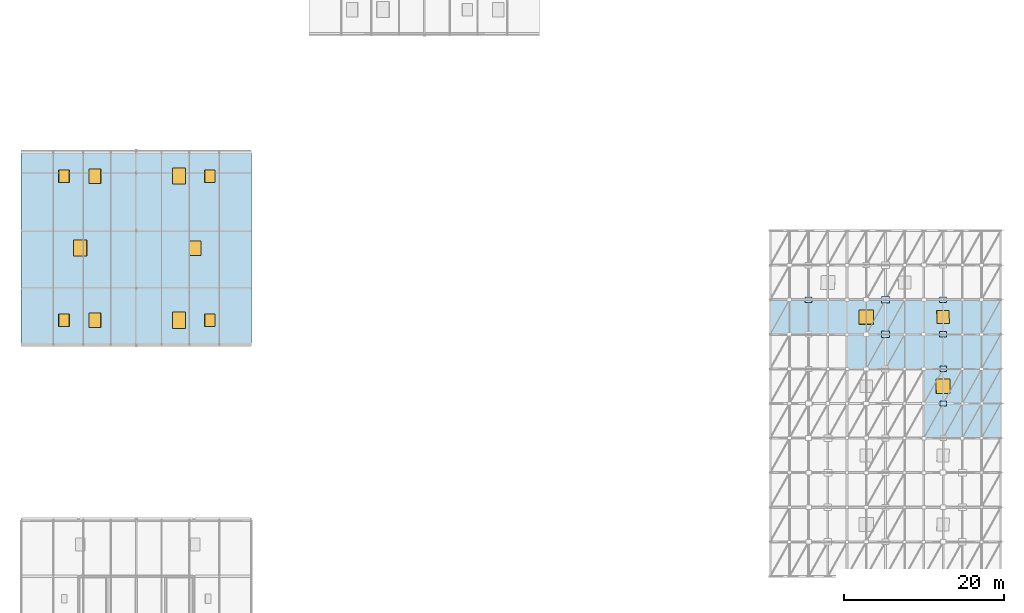
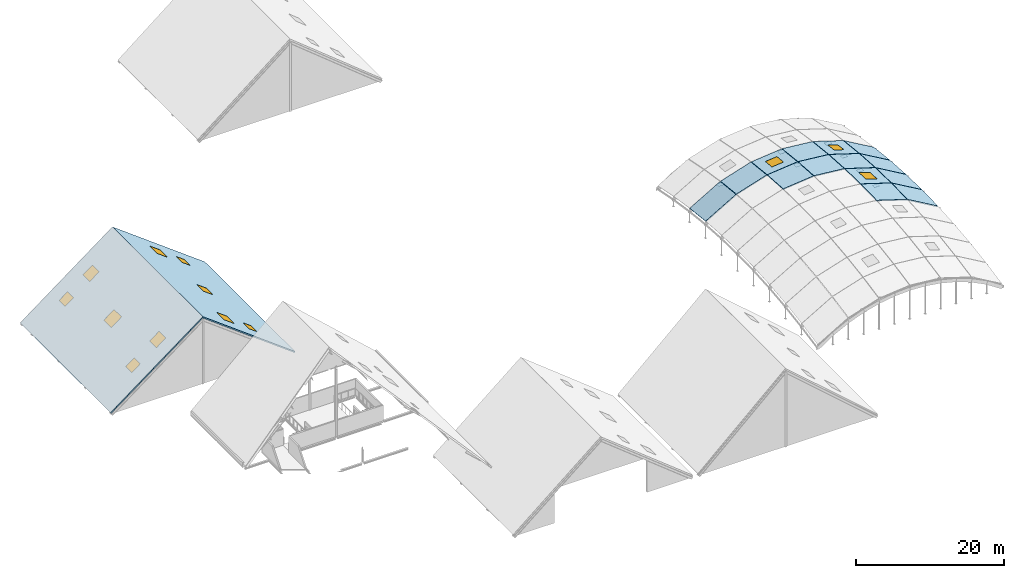
# One storey, part 23 of 35: 16 slabs, 13 windows, 7 plates, 13 openings.
"""IFC4 building model written with IfcOpenShell, lengths in metres."""

from ifc_helpers import new_model, si_unit, direction, frame, origin, origin_2d, place, context, subcontext, project, spatial, polyline, rectangle, outline, extrude, material, layer, layer_set, type_object, element, fill, save


model = new_model("IFC4")

# Units and contexts
model_context = context("Model", 3, precision=1e-05, world=origin(), true_north=direction((0.0, 1.0)))
body_context = subcontext(model_context, "Body", "Model", "MODEL_VIEW")
ifc_project = project(units=[si_unit("LENGTHUNIT", "METRE"), si_unit("AREAUNIT", "SQUARE_METRE"), si_unit("VOLUMEUNIT", "CUBIC_METRE"), si_unit("PLANEANGLEUNIT", "RADIAN"), si_unit("MASSUNIT", "GRAM", prefix="KILO")], contexts=[model_context])

# Site, building, storey
site_placement = place(None, origin())
site = spatial("IfcSite", under=ifc_project, at=site_placement, CompositionType="ELEMENT")
building_placement = place(site_placement, origin())
building = spatial("IfcBuilding", under=site, at=building_placement, Name="Zarrinpeak Specialist Clinic", CompositionType="ELEMENT")
storey_placement = place(building_placement, frame((0.0, 0.0, 31.60009765625)))
storey = spatial("IfcBuildingStorey", under=building, at=storey_placement, Name="RF", CompositionType="ELEMENT", Elevation=31.60009765625)

# Plates
ifc_material_1 = material(Name="Steel S355", Category="steel")
ifc_layer_1 = layer(ifc_material_1, 0.014892578125)
ifc_layer_set_1 = layer_set([ifc_layer_1], Name="Steel S355")
plate_type_1 = type_object("IfcPlateType", Name="PL-ND25", PredefinedType="SHEET", material=ifc_layer_set_1)
plate_1_placement = place(storey_placement, frame((115.199951171875, 50.39990234375, -11.51318359375), z_axis=(0.0, 0.0, 1.0), x_axis=(1.0, 0.0, 0.0)))
element("IfcPlate", 1, at=plate_1_placement, inside=storey, type_object=plate_type_1, Name="V3 Gridshell Hub Node Plate GSN-I09-J05", PredefinedType="SHEET", context=body_context, shape_type="SweptSolid", body=[
    extrude(rectangle(XDim=0.81494140625, YDim=0.6650390625, at=origin_2d()), origin(), (0.0, 0.0, 1.0), 0.014892578125),
])
ifc_layer_2 = layer(ifc_material_1, 0.01708984375)
ifc_layer_set_2 = layer_set([ifc_layer_2], Name="Steel S355")
plate_type_2 = type_object("IfcPlateType", Name="PL-ND26", PredefinedType="SHEET", material=ifc_layer_set_2)
plate_2_placement = place(storey_placement, frame((115.199951171875, 54.719970703125, -11.610107421875), z_axis=(0.0, 0.0, 1.0), x_axis=(1.0, 0.0, 0.0)))
element("IfcPlate", 2, at=plate_2_placement, inside=storey, type_object=plate_type_2, Name="V3 Gridshell Hub Node Plate GSN-I09-J06", PredefinedType="SHEET", context=body_context, shape_type="SweptSolid", body=[
    extrude(rectangle(XDim=0.8359375, YDim=0.681884765625, at=origin_2d()), origin(), (0.0, 0.0, 1.0), 0.01708984375),
])
ifc_layer_3 = layer(ifc_material_1, 0.01904296875)
ifc_layer_set_3 = layer_set([ifc_layer_3], Name="Steel S355")
plate_type_3 = type_object("IfcPlateType", Name="PL-ND27", PredefinedType="SHEET", material=ifc_layer_set_3)
for number, where, z_axis, x_axis, name in (
    (3, (98.39990234375, 63.360107421875, -13.277099609375), (0.0, 0.0, 1.0), (1.0, 0.0, 0.0), "V3 Gridshell Hub Node Plate GSN-I02-J08"),
    (4, (115.199951171875, 59.0400390625, -11.899169921875), (0.0, 0.0, 1.0), (1.0, 0.0, 0.0), "V3 Gridshell Hub Node Plate GSN-I09-J07"),
):
    element("IfcPlate", number, at=place(storey_placement, frame(where, z_axis=z_axis, x_axis=x_axis)), inside=storey, type_object=plate_type_3, Name=name, PredefinedType="SHEET", context=body_context, shape_type="SweptSolid", body=[
        extrude(rectangle(XDim=0.85693359375, YDim=0.698974609375, at=origin_2d()), origin(), (0.0, 0.0, 1.0), 0.01904296875),
    ])
ifc_layer_4 = layer(ifc_material_1, 0.02099609375)
ifc_layer_set_4 = layer_set([ifc_layer_4], Name="Steel S355")
plate_type_4 = type_object("IfcPlateType", Name="PL-ND28", PredefinedType="SHEET", material=ifc_layer_set_4)
plate_3_placement = place(storey_placement, frame((115.199951171875, 63.360107421875, -12.380126953125), z_axis=(0.0, 0.0, 1.0), x_axis=(1.0, 0.0, 0.0)))
element("IfcPlate", 5, at=plate_3_placement, inside=storey, type_object=plate_type_4, Name="V3 Gridshell Hub Node Plate GSN-I09-J08", PredefinedType="SHEET", context=body_context, shape_type="SweptSolid", body=[
    extrude(rectangle(XDim=0.8779296875, YDim=0.716064453125, at=origin_2d()), origin(), (0.0, 0.0, 1.0), 0.02099609375),
])
ifc_layer_5 = layer(ifc_material_1, 0.01904296875)
ifc_layer_set_5 = layer_set([ifc_layer_5], Name="Steel S355")
plate_type_5 = type_object("IfcPlateType", Name="PL-ND32", PredefinedType="SHEET", material=ifc_layer_set_5)
plate_4_placement = place(storey_placement, frame((108.0, 59.0400390625, -10.793701171875), z_axis=(0.0, 0.0, 1.0), x_axis=(1.0, 0.0, 0.0)))
element("IfcPlate", 6, at=plate_4_placement, inside=storey, type_object=plate_type_5, Name="V3 Gridshell Hub Node Plate GSN-I06-J07", PredefinedType="SHEET", context=body_context, shape_type="SweptSolid", body=[
    extrude(rectangle(XDim=0.9619140625, YDim=0.783935546875, at=origin_2d()), origin(), (0.0, 0.0, 1.0), 0.01904296875),
])
ifc_layer_6 = layer(ifc_material_1, 0.02099609375)
ifc_layer_set_6 = layer_set([ifc_layer_6], Name="Steel S355")
plate_type_6 = type_object("IfcPlateType", Name="PL-ND33", PredefinedType="SHEET", material=ifc_layer_set_6)
plate_5_placement = place(storey_placement, frame((108.0, 63.360107421875, -11.274658203125), z_axis=(0.0, 0.0, 1.0), x_axis=(1.0, 0.0, 0.0)))
element("IfcPlate", 7, at=plate_5_placement, inside=storey, type_object=plate_type_6, Name="V3 Gridshell Hub Node Plate GSN-I06-J08", PredefinedType="SHEET", context=body_context, shape_type="SweptSolid", body=[
    extrude(rectangle(XDim=0.98291015625, YDim=0.801025390625, at=origin_2d()), origin(), (0.0, 0.0, 1.0), 0.02099609375),
])

# Slabs
ifc_material_2 = material(Name="Precast concrete C40/50", Category="concrete")
ifc_layer_7 = layer(ifc_material_2, 0.1650390625)
ifc_layer_set_7 = layer_set([ifc_layer_7], Name="Precast concrete C40/50")
slab_type_1 = type_object("IfcSlabType", Name="SL-GS165", PredefinedType="ROOF", material=ifc_layer_set_7)
slab_1_placement = place(storey_placement, frame((98.431884765625, 59.052001953125, -12.2548828125), z_axis=(-0.299944753357, 0.105340966295, 0.948122579498), x_axis=(0.953427294255, 0.0, 0.301622934422)))
element("IfcSlab", 8, at=slab_1_placement, inside=storey, type_object=slab_type_1, Name="V3 Translational Gridshell Vault Roof Panel K01-J07", PredefinedType="ROOF", context=body_context, shape_type="SweptSolid", body=[
    extrude(outline(polyline([(0.0, 0.0), (4.9674306713386525, -2.7755575615628914e-17), (4.823467576418189, 4.319933848459201), (-0.14396309492046364, 4.319933848459201), (0.0, 0.0)])), origin(), (0.0, 0.0, -1.0), 0.1650390625),
])
slab_2_placement = place(storey_placement, frame((103.23193359375, 54.73193359375, -10.455078125), z_axis=(-0.100253333122, 0.066176395097, 0.992758759181), x_axis=(0.994939726955, 0.0, 0.100473577252)))
element("IfcSlab", 9, at=slab_2_placement, inside=storey, type_object=slab_type_1, Name="V3 Translational Gridshell Vault Roof Panel K02-J06", PredefinedType="ROOF", context=body_context, shape_type="SweptSolid", body=[
    extrude(outline(polyline([(0.0, 0.0), (4.760171753184925, 6.938893903907228e-18), (4.731398436262013, 4.305580670141128), (-0.028773316922912014, 4.305580670141128), (0.0, 0.0)])), origin(), (0.0, 0.0, -1.0), 0.1650390625),
])

# Slab, opening, window
slab_3_placement = place(storey_placement, frame((103.23193359375, 59.052001953125, -10.74365234375), z_axis=(-0.099915738946, 0.109872747509, 0.988910928479), x_axis=(0.994934598654, 0.0, 0.100524347305)))
slab_3 = element("IfcSlab", 10, at=slab_3_placement, inside=storey, type_object=slab_type_1, Name="V3 Translational Gridshell Vault Roof Panel K02-J07", PredefinedType="ROOF", context=body_context, shape_type="SweptSolid", body=[
    extrude(outline(polyline([(0.0, 0.0), (4.760196289064403, 6.938893903907228e-18), (4.712216528571116, 4.322065683252119), (-0.047979760493286616, 4.322065683252119), (0.0, 0.0)])), origin(), (0.0, 0.0, -1.0), 0.1650390625),
])
opening_1_placement = place(slab_3_placement, frame((2.356201171875, 2.1611328125, 0.0)))
opening_1 = element("IfcOpeningElement", 11, at=opening_1_placement, cuts=slab_3, Name="Opening SK-03", PredefinedType="OPENING", context=body_context, shape_type="SweptSolid", body=[
    extrude(rectangle(XDim=1.800048828125, YDim=1.800048828125, at=origin_2d()), frame((0.0, 0.0, 0.010009765625), z_axis=(0.0, 0.0, 1.0), x_axis=(1.0, 0.0, 0.0)), (0.0, 0.0, -1.0), 0.18505859375),
])
ifc_material_3 = material(Name="Thermally Broken Aluminium and Low-E Glazing", Category="aluminium")
window_type_1 = type_object("IfcWindowType", Name="WN-SKY180", PartitioningType="SINGLE_PANEL", PredefinedType="SKYLIGHT", material=ifc_material_3)
window_1_placement = place(opening_1_placement, frame((0.0, 0.0, -0.0048828125)))
window_1 = element("IfcWindow", 12, at=window_1_placement, inside=storey, type_object=window_type_1, Name="V3 Gridshell Vault Skylight SKY-GS-057", OverallHeight=1.800048828125, OverallWidth=1.800048828125, PartitioningType="SINGLE_PANEL", PredefinedType="SKYLIGHT", context=body_context, shape_type="SweptSolid", body=[
    extrude(rectangle(XDim=1.800048828125, YDim=1.800048828125, at=origin_2d()), origin(), (0.0, 0.0, -1.0), 0.06005859375),
])
fill(opening_1, window_1)

# Slabs
slab_4_placement = place(storey_placement, frame((108.031982421875, 54.73193359375, -9.976806640625), z_axis=(0.100253333122, 0.066176395097, 0.992758759181), x_axis=(0.994939726955, 0.0, -0.100473577252)))
element("IfcSlab", 13, at=slab_4_placement, inside=storey, type_object=slab_type_1, Name="V3 Translational Gridshell Vault Roof Panel K03-J06", PredefinedType="ROOF", context=body_context, shape_type="SweptSolid", body=[
    extrude(outline(polyline([(0.0, 0.0), (4.760171753184925, -6.938893903907228e-18), (4.788945070107837, 4.305580670141128), (0.028773316922912014, 4.305580670141128), (0.0, 0.0)])), origin(), (0.0, 0.0, -1.0), 0.1650390625),
])
slab_5_placement = place(storey_placement, frame((108.031982421875, 59.052001953125, -10.26513671875), z_axis=(0.099915738946, 0.109872747509, 0.988910928479), x_axis=(0.994934598654, 0.0, -0.100524347305)))
element("IfcSlab", 14, at=slab_5_placement, inside=storey, type_object=slab_type_1, Name="V3 Translational Gridshell Vault Roof Panel K03-J07", PredefinedType="ROOF", context=body_context, shape_type="SweptSolid", body=[
    extrude(outline(polyline([(0.0, 0.0), (4.760196289064403, -6.938893903907228e-18), (4.80817604955769, 4.322065683252119), (0.047979760493286616, 4.322065683252119), (0.0, 0.0)])), origin(), (0.0, 0.0, -1.0), 0.1650390625),
])
slab_6_placement = place(storey_placement, frame((112.83203125, 46.092041015625, -10.467041015625), z_axis=(0.301555265545, -0.021181316031, 0.953213393566), x_axis=(0.953427294255, 0.0, -0.301622934422)))
element("IfcSlab", 15, at=slab_6_placement, inside=storey, type_object=slab_type_1, Name="V3 Translational Gridshell Vault Roof Panel K04-J04", PredefinedType="ROOF", context=body_context, shape_type="SweptSolid", body=[
    extrude(outline(polyline([(0.0, 0.0), (4.9674306713386525, -3.469446951953614e-18), (4.93863805235456, 4.296862435324743), (-0.02879261898409273, 4.296862435324744), (0.0, 0.0)])), origin(), (0.0, 0.0, -1.0), 0.1650390625),
])

# Slab, opening, window
slab_7_placement = place(storey_placement, frame((112.83203125, 50.412109375, -10.37158203125), z_axis=(0.301555265545, 0.021181316031, 0.953213393566), x_axis=(0.953427294255, 0.0, -0.301622934422)))
slab_7 = element("IfcSlab", 16, at=slab_7_placement, inside=storey, type_object=slab_type_1, Name="V3 Translational Gridshell Vault Roof Panel K04-J05", PredefinedType="ROOF", context=body_context, shape_type="SweptSolid", body=[
    extrude(outline(polyline([(0.0, 0.0), (4.9674306713386525, 3.469446951953614e-18), (4.996223290322745, 4.296862435324744), (0.02879261898409273, 4.296862435324744), (0.0, 0.0)])), origin(), (0.0, 0.0, -1.0), 0.1650390625),
])
opening_2_placement = place(slab_7_placement, frame((2.498046875, 2.1484375, 0.0)))
opening_2 = element("IfcOpeningElement", 17, at=opening_2_placement, cuts=slab_7, Name="Opening SK-03", PredefinedType="OPENING", context=body_context, shape_type="SweptSolid", body=[
    extrude(rectangle(XDim=1.800048828125, YDim=1.800048828125, at=origin_2d()), frame((0.0, 0.0, 0.010009765625), z_axis=(0.0, 0.0, 1.0), x_axis=(1.0, 0.0, 0.0)), (0.0, 0.0, -1.0), 0.18505859375),
])
window_2_placement = place(opening_2_placement, frame((0.0, 0.0, -0.0048828125)))
window_2 = element("IfcWindow", 18, at=window_2_placement, inside=storey, type_object=window_type_1, Name="V3 Gridshell Vault Skylight SKY-GS-061", OverallHeight=1.800048828125, OverallWidth=1.800048828125, PartitioningType="SINGLE_PANEL", PredefinedType="SKYLIGHT", context=body_context, shape_type="SweptSolid", body=[
    extrude(rectangle(XDim=1.800048828125, YDim=1.800048828125, at=origin_2d()), origin(), (0.0, 0.0, -1.0), 0.06005859375),
])
fill(opening_2, window_2)

# Slab
slab_8_placement = place(storey_placement, frame((112.83203125, 54.73193359375, -10.468017578125), z_axis=(0.301015617944, 0.063426628548, 0.95150757251), x_axis=(0.953427294255, 0.0, -0.301622934422)))
element("IfcSlab", 19, at=slab_8_placement, inside=storey, type_object=slab_type_1, Name="V3 Translational Gridshell Vault Roof Panel K04-J06", PredefinedType="ROOF", context=body_context, shape_type="SweptSolid", body=[
    extrude(outline(polyline([(0.0, 0.0), (4.9674306713386525, 0.0), (5.053808528290931, 4.304810295087115), (0.08637785695227819, 4.304810295087115), (0.0, 0.0)])), origin(), (0.0, 0.0, -1.0), 0.1650390625),
])

# Slab, opening, window
slab_9_placement = place(storey_placement, frame((112.83203125, 59.052001953125, -10.756591796875), z_axis=(0.299944753357, 0.105340966295, 0.948122579498), x_axis=(0.953427294255, 0.0, -0.301622934422)))
slab_9 = element("IfcSlab", 20, at=slab_9_placement, inside=storey, type_object=slab_type_1, Name="V3 Translational Gridshell Vault Roof Panel K04-J07", PredefinedType="ROOF", context=body_context, shape_type="SweptSolid", body=[
    extrude(outline(polyline([(0.0, 0.0), (4.9674306713386525, 2.7755575615628914e-17), (5.111393766259116, 4.319933848459202), (0.14396309492046364, 4.319933848459201), (0.0, 0.0)])), origin(), (0.0, 0.0, -1.0), 0.1650390625),
])
opening_3_placement = place(slab_9_placement, frame((2.5556640625, 2.159912109375, 0.0)))
opening_3 = element("IfcOpeningElement", 21, at=opening_3_placement, cuts=slab_9, Name="Opening SK-01", PredefinedType="OPENING", context=body_context, shape_type="SweptSolid", body=[
    extrude(rectangle(XDim=1.60009765625, YDim=1.60009765625, at=origin_2d()), frame((0.0, 0.0, 0.010009765625), z_axis=(0.0, 0.0, 1.0), x_axis=(1.0, 0.0, 0.0)), (0.0, 0.0, -1.0), 0.18505859375),
])
window_type_2 = type_object("IfcWindowType", Name="WN-SKY160", PartitioningType="SINGLE_PANEL", PredefinedType="SKYLIGHT", material=ifc_material_3)
window_3_placement = place(opening_3_placement, frame((0.0, 0.0, -0.0048828125)))
window_3 = element("IfcWindow", 22, at=window_3_placement, inside=storey, type_object=window_type_2, Name="V3 Gridshell Vault Skylight SKY-GS-062", OverallHeight=1.60009765625, OverallWidth=1.60009765625, PartitioningType="SINGLE_PANEL", PredefinedType="SKYLIGHT", context=body_context, shape_type="SweptSolid", body=[
    extrude(rectangle(XDim=1.60009765625, YDim=1.60009765625, at=origin_2d()), origin(), (0.0, 0.0, -1.0), 0.06005859375),
])
fill(opening_3, window_3)

# Slabs
ifc_layer_8 = layer(ifc_material_2, 0.179931640625)
ifc_layer_set_8 = layer_set([ifc_layer_8], Name="Precast concrete C40/50")
slab_type_2 = type_object("IfcSlabType", Name="SL-GS180", PredefinedType="ROOF", material=ifc_layer_set_8)
slab_10_placement = place(storey_placement, frame((93.632080078125, 59.052001953125, -15.041259765625), z_axis=(-0.501018862962, 0.095566093123, 0.860143721015), x_axis=(0.864098625371, 0.0, 0.50332252645)))
element("IfcSlab", 23, at=slab_10_placement, inside=storey, type_object=slab_type_2, Name="V3 Translational Gridshell Vault Roof Panel K00-J07", PredefinedType="ROOF", context=body_context, shape_type="SweptSolid", body=[
    extrude(outline(polyline([(0.0, 0.0), (5.480670498365358, 0.0), (5.240437212425672, 4.315650796356122), (-0.240233285939686, 4.315650796356123), (0.0, 0.0)])), origin(), (0.0, 0.0, -1.0), 0.179931640625),
])
slab_11_placement = place(storey_placement, frame((117.632080078125, 46.092041015625, -11.9931640625), z_axis=(0.503212902035, -0.019222317474, 0.863948654572), x_axis=(0.864108308668, -3.69888e-07, -0.503305901904)))
element("IfcSlab", 24, at=slab_11_placement, inside=storey, type_object=slab_type_2, Name="V3 Translational Gridshell Vault Roof Panel K05-J04", PredefinedType="ROOF", context=body_context, shape_type="SweptSolid", body=[
    extrude(outline(polyline([(0.0, 0.0), (5.480670497350671, -1.3877787807814457e-17), (5.432500960707006, 4.296694329140357), (-0.048046659226207426, 4.296690273969921), (0.0, 0.0)])), origin(), (0.0, 0.0, -1.0), 0.179931640625),
])
slab_12_placement = place(storey_placement, frame((117.632080078125, 50.412109375, -11.897705078125), z_axis=(0.503212902035, 0.019222317474, 0.863948654572), x_axis=(0.864108315826, -3.69896e-07, -0.503305889613)))
element("IfcSlab", 25, at=slab_12_placement, inside=storey, type_object=slab_type_2, Name="V3 Translational Gridshell Vault Roof Panel K05-J05", PredefinedType="ROOF", context=body_context, shape_type="SweptSolid", body=[
    extrude(outline(polyline([(0.0, 0.0), (5.480547619934713, -6.938893903907228e-18), (5.528713977365442, 4.296694364780817), (0.04804348001627172, 4.2966903095194615), (0.0, 0.0)])), origin(), (0.0, 0.0, -1.0), 0.179931640625),
])
slab_13_placement = place(storey_placement, frame((117.632080078125, 54.73193359375, -11.994384765625), z_axis=(0.502456401724, 0.057505998218, 0.862688022715), x_axis=(0.86411799902, 0.0, -0.503289264508)))
element("IfcSlab", 26, at=slab_13_placement, inside=storey, type_object=slab_type_2, Name="V3 Translational Gridshell Vault Roof Panel K05-J06", PredefinedType="ROOF", context=body_context, shape_type="SweptSolid", body=[
    extrude(outline(polyline([(0.0, 0.0), (5.480547620949424, -2.7755575615628914e-17), (5.624678067059815, 4.303263787564469), (0.14413044611039094, 4.303263787564469), (0.0, 0.0)])), origin(), (0.0, 0.0, -1.0), 0.179931640625),
])
slab_14_placement = place(storey_placement, frame((117.632080078125, 59.052001953125, -12.28271484375), z_axis=(0.501018862962, 0.095566093123, 0.860143721015), x_axis=(0.864098625371, 0.0, -0.50332252645)))
element("IfcSlab", 27, at=slab_14_placement, inside=storey, type_object=slab_type_2, Name="V3 Translational Gridshell Vault Roof Panel K05-J07", PredefinedType="ROOF", context=body_context, shape_type="SweptSolid", body=[
    extrude(outline(polyline([(0.0, 0.0), (5.480670498365358, 0.0), (5.720903784305044, 4.315650796356123), (0.240233285939686, 4.315650796356123), (0.0, 0.0)])), origin(), (0.0, 0.0, -1.0), 0.179931640625),
])

# Slab, openings, windows
ifc_material_4 = material(Name="Concrete C35/45", Category="concrete")
ifc_layer_9 = layer(ifc_material_4, 0.18994140625)
ifc_layer_set_9 = layer_set([ifc_layer_9], Name="Concrete C35/45")
slab_type_3 = type_object("IfcSlabType", Name="SL-ROOF190", PredefinedType="ROOF", material=ifc_layer_set_9)
slab_15_placement = place(storey_placement, frame((0.0, 57.60009765625, -12.962646484375), z_axis=(-0.600004340281, 0.0, 0.799996744771), x_axis=(0.799996744771, 0.0, 0.600004340281)))
slab_15 = element("IfcSlab", 28, at=slab_15_placement, inside=storey, type_object=slab_type_3, Name="V5 West Pitched Gable Roof Slab", PredefinedType="ROOF", context=body_context, shape_type="SweptSolid", body=[
    extrude(outline(polyline([(0.0, 0.0), (17.999951172139912, 0.0), (17.999951172139912, 24.39990234375), (0.0, 24.39990234375), (0.0, 0.0)])), origin(), (0.0, 0.0, -1.0), 0.18994140625),
])
opening_4_placement = place(slab_15_placement, frame((6.7001953125, 3.199951171875, 0.0)))
opening_4 = element("IfcOpeningElement", 29, at=opening_4_placement, cuts=slab_15, Name="Opening SK-01", PredefinedType="OPENING", context=body_context, shape_type="SweptSolid", body=[
    extrude(rectangle(XDim=1.60009765625, YDim=1.60009765625, at=origin_2d()), frame((0.0, 0.0, 0.010009765625), z_axis=(0.0, 0.0, 1.0), x_axis=(1.0, 0.0, 0.0)), (0.0, 0.0, -1.0), 0.2099609375),
])
opening_5_placement = place(slab_15_placement, frame((11.530029296875, 3.199951171875, 0.0)))
opening_5 = element("IfcOpeningElement", 30, at=opening_5_placement, cuts=slab_15, Name="Opening SK-03", PredefinedType="OPENING", context=body_context, shape_type="SweptSolid", body=[
    extrude(rectangle(XDim=1.800048828125, YDim=1.800048828125, at=origin_2d()), frame((0.0, 0.0, 0.010009765625), z_axis=(0.0, 0.0, 1.0), x_axis=(1.0, 0.0, 0.0)), (0.0, 0.0, -1.0), 0.2099609375),
])
opening_6_placement = place(slab_15_placement, frame((9.22998046875, 12.199951171875, 0.0)))
opening_6 = element("IfcOpeningElement", 31, at=opening_6_placement, cuts=slab_15, Name="Opening SK-02", PredefinedType="OPENING", context=body_context, shape_type="SweptSolid", body=[
    extrude(rectangle(XDim=2.0, YDim=2.0, at=origin_2d()), frame((0.0, 0.0, 0.010009765625), z_axis=(0.0, 0.0, 1.0), x_axis=(1.0, 0.0, 0.0)), (0.0, 0.0, -1.0), 0.2099609375),
])
opening_7_placement = place(slab_15_placement, frame((6.7001953125, 21.199951171875, 0.0)))
opening_7 = element("IfcOpeningElement", 32, at=opening_7_placement, cuts=slab_15, Name="Opening SK-01", PredefinedType="OPENING", context=body_context, shape_type="SweptSolid", body=[
    extrude(rectangle(XDim=1.60009765625, YDim=1.60009765625, at=origin_2d()), frame((0.0, 0.0, 0.010009765625), z_axis=(0.0, 0.0, 1.0), x_axis=(1.0, 0.0, 0.0)), (0.0, 0.0, -1.0), 0.2099609375),
])
opening_8_placement = place(slab_15_placement, frame((11.530029296875, 21.199951171875, 0.0)))
opening_8 = element("IfcOpeningElement", 33, at=opening_8_placement, cuts=slab_15, Name="Opening SK-03", PredefinedType="OPENING", context=body_context, shape_type="SweptSolid", body=[
    extrude(rectangle(XDim=1.800048828125, YDim=1.800048828125, at=origin_2d()), frame((0.0, 0.0, 0.010009765625), z_axis=(0.0, 0.0, 1.0), x_axis=(1.0, 0.0, 0.0)), (0.0, 0.0, -1.0), 0.2099609375),
])
window_4_placement = place(opening_4_placement, frame((0.0, 0.0, -0.0048828125)))
window_4 = element("IfcWindow", 34, at=window_4_placement, inside=storey, type_object=window_type_2, Name="V5 Scattered Square Roof Skylight SKY-RF-033", OverallHeight=1.60009765625, OverallWidth=1.60009765625, PartitioningType="SINGLE_PANEL", PredefinedType="SKYLIGHT", context=body_context, shape_type="SweptSolid", body=[
    extrude(rectangle(XDim=1.60009765625, YDim=1.60009765625, at=origin_2d()), origin(), (0.0, 0.0, -1.0), 0.06005859375),
])
fill(opening_4, window_4)
window_5_placement = place(opening_7_placement, frame((0.0, 0.0, -0.0048828125)))
window_5 = element("IfcWindow", 35, at=window_5_placement, inside=storey, type_object=window_type_2, Name="V5 Scattered Square Roof Skylight SKY-RF-036", OverallHeight=1.60009765625, OverallWidth=1.60009765625, PartitioningType="SINGLE_PANEL", PredefinedType="SKYLIGHT", context=body_context, shape_type="SweptSolid", body=[
    extrude(rectangle(XDim=1.60009765625, YDim=1.60009765625, at=origin_2d()), origin(), (0.0, 0.0, -1.0), 0.06005859375),
])
fill(opening_7, window_5)
window_6_placement = place(opening_5_placement, frame((0.0, 0.0, -0.0048828125)))
window_6 = element("IfcWindow", 36, at=window_6_placement, inside=storey, type_object=window_type_1, Name="V5 Scattered Square Roof Skylight SKY-RF-034", OverallHeight=1.800048828125, OverallWidth=1.800048828125, PartitioningType="SINGLE_PANEL", PredefinedType="SKYLIGHT", context=body_context, shape_type="SweptSolid", body=[
    extrude(rectangle(XDim=1.800048828125, YDim=1.800048828125, at=origin_2d()), origin(), (0.0, 0.0, -1.0), 0.06005859375),
])
fill(opening_5, window_6)
window_7_placement = place(opening_8_placement, frame((0.0, 0.0, -0.0048828125)))
window_7 = element("IfcWindow", 37, at=window_7_placement, inside=storey, type_object=window_type_1, Name="V5 Scattered Square Roof Skylight SKY-RF-037", OverallHeight=1.800048828125, OverallWidth=1.800048828125, PartitioningType="SINGLE_PANEL", PredefinedType="SKYLIGHT", context=body_context, shape_type="SweptSolid", body=[
    extrude(rectangle(XDim=1.800048828125, YDim=1.800048828125, at=origin_2d()), origin(), (0.0, 0.0, -1.0), 0.06005859375),
])
fill(opening_8, window_7)
window_type_3 = type_object("IfcWindowType", Name="WN-SKY200", PartitioningType="SINGLE_PANEL", PredefinedType="SKYLIGHT", material=ifc_material_3)
window_8_placement = place(opening_6_placement, frame((0.0, 0.0, -0.0048828125)))
window_8 = element("IfcWindow", 38, at=window_8_placement, inside=storey, type_object=window_type_3, Name="V5 Scattered Square Roof Skylight SKY-RF-035", OverallHeight=2.0, OverallWidth=2.0, PartitioningType="SINGLE_PANEL", PredefinedType="SKYLIGHT", context=body_context, shape_type="SweptSolid", body=[
    extrude(rectangle(XDim=2.0, YDim=2.0, at=origin_2d()), origin(), (0.0, 0.0, -1.0), 0.06005859375),
])
fill(opening_6, window_8)

slab_16_placement = place(storey_placement, frame((14.39990234375, 57.60009765625, -2.16259765625), z_axis=(0.599997829877, 0.0, 0.800001627588), x_axis=(0.800001627588, 0.0, -0.599997829877)))
slab_16 = element("IfcSlab", 39, at=slab_16_placement, inside=storey, type_object=slab_type_3, Name="V5 East Pitched Gable Roof Slab", PredefinedType="ROOF", context=body_context, shape_type="SweptSolid", body=[
    extrude(outline(polyline([(0.0, 0.0), (18.000146484441224, 0.0), (18.000146484441224, 24.39990234375), (0.0, 24.39990234375), (0.0, 0.0)])), origin(), (0.0, 0.0, -1.0), 0.18994140625),
])
opening_9_placement = place(slab_16_placement, frame((6.7001953125, 3.199951171875, 0.0)))
opening_9 = element("IfcOpeningElement", 40, at=opening_9_placement, cuts=slab_16, Name="Opening SK-02", PredefinedType="OPENING", context=body_context, shape_type="SweptSolid", body=[
    extrude(rectangle(XDim=2.0, YDim=2.0, at=origin_2d()), frame((0.0, 0.0, 0.010009765625), z_axis=(0.0, 0.0, 1.0), x_axis=(1.0, 0.0, 0.0)), (0.0, 0.0, -1.0), 0.2099609375),
])
opening_10_placement = place(slab_16_placement, frame((11.530029296875, 3.199951171875, 0.0)))
opening_10 = element("IfcOpeningElement", 41, at=opening_10_placement, cuts=slab_16, Name="Opening SK-01", PredefinedType="OPENING", context=body_context, shape_type="SweptSolid", body=[
    extrude(rectangle(XDim=1.60009765625, YDim=1.60009765625, at=origin_2d()), frame((0.0, 0.0, 0.010009765625), z_axis=(0.0, 0.0, 1.0), x_axis=(1.0, 0.0, 0.0)), (0.0, 0.0, -1.0), 0.2099609375),
])
opening_11_placement = place(slab_16_placement, frame((9.22998046875, 12.199951171875, 0.0)))
opening_11 = element("IfcOpeningElement", 42, at=opening_11_placement, cuts=slab_16, Name="Opening SK-03", PredefinedType="OPENING", context=body_context, shape_type="SweptSolid", body=[
    extrude(rectangle(XDim=1.800048828125, YDim=1.800048828125, at=origin_2d()), frame((0.0, 0.0, 0.010009765625), z_axis=(0.0, 0.0, 1.0), x_axis=(1.0, 0.0, 0.0)), (0.0, 0.0, -1.0), 0.2099609375),
])
opening_12_placement = place(slab_16_placement, frame((6.7001953125, 21.199951171875, 0.0)))
opening_12 = element("IfcOpeningElement", 43, at=opening_12_placement, cuts=slab_16, Name="Opening SK-02", PredefinedType="OPENING", context=body_context, shape_type="SweptSolid", body=[
    extrude(rectangle(XDim=2.0, YDim=2.0, at=origin_2d()), frame((0.0, 0.0, 0.010009765625), z_axis=(0.0, 0.0, 1.0), x_axis=(1.0, 0.0, 0.0)), (0.0, 0.0, -1.0), 0.2099609375),
])
opening_13_placement = place(slab_16_placement, frame((11.530029296875, 21.199951171875, 0.0)))
opening_13 = element("IfcOpeningElement", 44, at=opening_13_placement, cuts=slab_16, Name="Opening SK-01", PredefinedType="OPENING", context=body_context, shape_type="SweptSolid", body=[
    extrude(rectangle(XDim=1.60009765625, YDim=1.60009765625, at=origin_2d()), frame((0.0, 0.0, 0.010009765625), z_axis=(0.0, 0.0, 1.0), x_axis=(1.0, 0.0, 0.0)), (0.0, 0.0, -1.0), 0.2099609375),
])
window_9_placement = place(opening_10_placement, frame((0.0, 0.0, -0.0048828125)))
window_9 = element("IfcWindow", 45, at=window_9_placement, inside=storey, type_object=window_type_2, Name="V5 Scattered Square Roof Skylight SKY-RF-039", OverallHeight=1.60009765625, OverallWidth=1.60009765625, PartitioningType="SINGLE_PANEL", PredefinedType="SKYLIGHT", context=body_context, shape_type="SweptSolid", body=[
    extrude(rectangle(XDim=1.60009765625, YDim=1.60009765625, at=origin_2d()), origin(), (0.0, 0.0, -1.0), 0.06005859375),
])
fill(opening_10, window_9)
window_10_placement = place(opening_13_placement, frame((0.0, 0.0, -0.0048828125)))
window_10 = element("IfcWindow", 46, at=window_10_placement, inside=storey, type_object=window_type_2, Name="V5 Scattered Square Roof Skylight SKY-RF-042", OverallHeight=1.60009765625, OverallWidth=1.60009765625, PartitioningType="SINGLE_PANEL", PredefinedType="SKYLIGHT", context=body_context, shape_type="SweptSolid", body=[
    extrude(rectangle(XDim=1.60009765625, YDim=1.60009765625, at=origin_2d()), origin(), (0.0, 0.0, -1.0), 0.06005859375),
])
fill(opening_13, window_10)
window_11_placement = place(opening_11_placement, frame((0.0, 0.0, -0.0048828125)))
window_11 = element("IfcWindow", 47, at=window_11_placement, inside=storey, type_object=window_type_1, Name="V5 Scattered Square Roof Skylight SKY-RF-040", OverallHeight=1.800048828125, OverallWidth=1.800048828125, PartitioningType="SINGLE_PANEL", PredefinedType="SKYLIGHT", context=body_context, shape_type="SweptSolid", body=[
    extrude(rectangle(XDim=1.800048828125, YDim=1.800048828125, at=origin_2d()), origin(), (0.0, 0.0, -1.0), 0.06005859375),
])
fill(opening_11, window_11)
window_12_placement = place(opening_9_placement, frame((0.0, 0.0, -0.0048828125)))
window_12 = element("IfcWindow", 48, at=window_12_placement, inside=storey, type_object=window_type_3, Name="V5 Scattered Square Roof Skylight SKY-RF-038", OverallHeight=2.0, OverallWidth=2.0, PartitioningType="SINGLE_PANEL", PredefinedType="SKYLIGHT", context=body_context, shape_type="SweptSolid", body=[
    extrude(rectangle(XDim=2.0, YDim=2.0, at=origin_2d()), origin(), (0.0, 0.0, -1.0), 0.06005859375),
])
fill(opening_9, window_12)
window_13_placement = place(opening_12_placement, frame((0.0, 0.0, -0.0048828125)))
window_13 = element("IfcWindow", 49, at=window_13_placement, inside=storey, type_object=window_type_3, Name="V5 Scattered Square Roof Skylight SKY-RF-041", OverallHeight=2.0, OverallWidth=2.0, PartitioningType="SINGLE_PANEL", PredefinedType="SKYLIGHT", context=body_context, shape_type="SweptSolid", body=[
    extrude(rectangle(XDim=2.0, YDim=2.0, at=origin_2d()), origin(), (0.0, 0.0, -1.0), 0.06005859375),
])
fill(opening_12, window_13)

save(model, "model.ifc")
